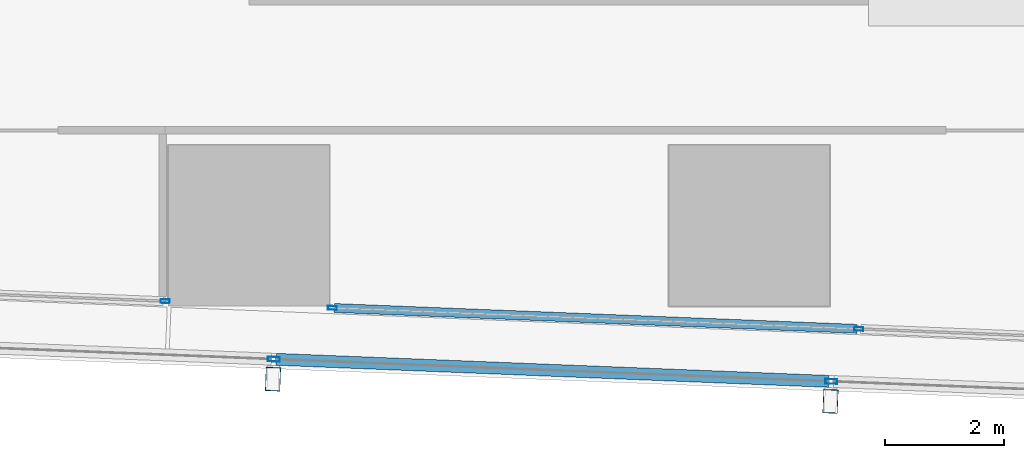
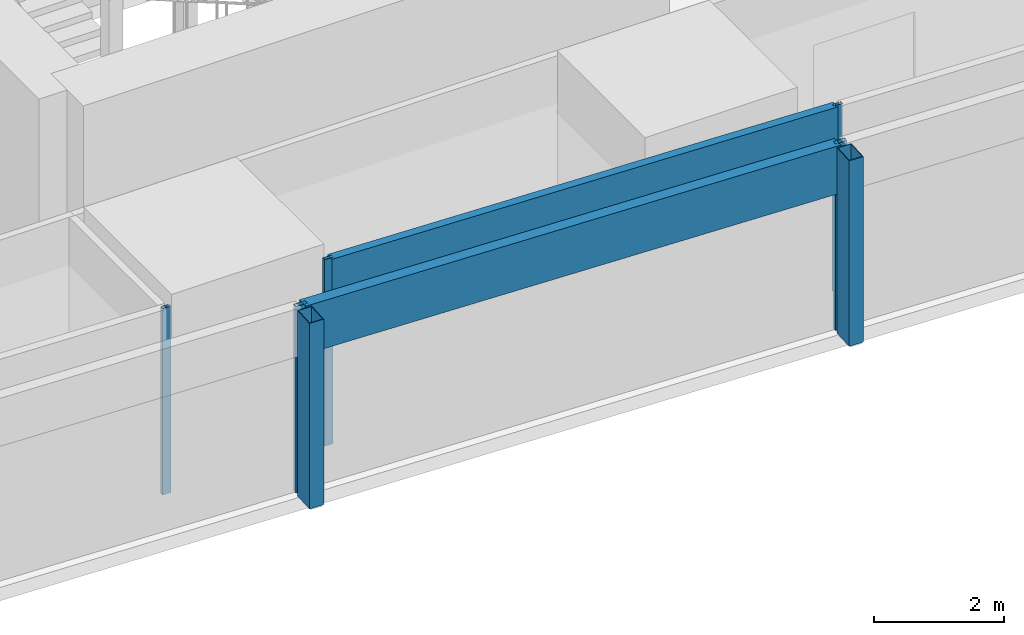
# One storey, part 5 of 36: 9 members, 3 elements without a shape of their own.
"""IFC4 building model written with IfcOpenShell, lengths in metres."""

from ifc_helpers import new_model, si_unit, direction, frame, origin, origin_2d, place, context, subcontext, project, spatial, hollow_rectangle, extrude, material, material_profile, profile_set, type_object, element, aggregate, save


model = new_model("IFC4")

# Units and contexts
model_context = context("Model", 3, precision=1e-05, world=origin(), true_north=direction((0.0, 1.0)))
body_context = subcontext(model_context, "Body", "Model", "MODEL_VIEW")
ifc_project = project(units=[si_unit("LENGTHUNIT", "METRE"), si_unit("AREAUNIT", "SQUARE_METRE"), si_unit("VOLUMEUNIT", "CUBIC_METRE"), si_unit("PLANEANGLEUNIT", "RADIAN"), si_unit("MASSUNIT", "GRAM", prefix="KILO")], contexts=[model_context])

# Site, building, storey
site_placement = place(None, origin())
site = spatial("IfcSite", under=ifc_project, at=site_placement, CompositionType="ELEMENT")
building_placement = place(site_placement, origin())
building = spatial("IfcBuilding", under=site, at=building_placement, Name="Rekha Terrace Tower", CompositionType="ELEMENT")
storey_placement = place(building_placement, frame((0.0, 0.0, 172.699951171875)))
storey = spatial("IfcBuildingStorey", under=building, at=storey_placement, Name="L43", CompositionType="ELEMENT", Elevation=172.699951171875)

# Curtain wall, members
ifc_material_1 = material(Name="Aluminium framing", Category="aluminium")
curtain_wall_type_1 = type_object("IfcCurtainWallType", Name="CW2 double skin outer glazing", PredefinedType="USERDEFINED", material=ifc_material_1)
curtain_wall_1_placement = place(storey_placement, origin())
curtain_wall_1 = element("IfcCurtainWall", 1, at=curtain_wall_1_placement, inside=storey, type_object=curtain_wall_type_1, Name="CW2 double skin outer glazing", ObjectType="DOUBLE SKIN OUTER GLAZING", PredefinedType="USERDEFINED")
ifc_material_2 = material(Name="Steel S355 with fluorocarbon finish", Category="steel")
ifc_material_profile_1 = material_profile(ifc_material_2, hollow_rectangle(XDim=0.25, YDim=0.39990234375, WallThickness=0.012451171875, at=origin_2d()), Name="RHS400x250x12.5")
ifc_profile_set_1 = profile_set([ifc_material_profile_1], Name="Steel S355 with fluorocarbon finish")
member_type_1 = type_object("IfcMemberType", Name="BL1 facade blade RHS 400 x 250", PredefinedType="USERDEFINED", material=ifc_profile_set_1)
member_1_placement = place(storey_placement, frame((25.60498046875, 14.222412109375, 0.02001953125), z_axis=(0.0, 0.0, 1.0), x_axis=(0.999204797763, -0.039871946621, 0.0)))
member_1 = element("IfcMember", 2, at=member_1_placement, type_object=member_type_1, Name="Facade blade", ObjectType="FACADE BLADE", PredefinedType="USERDEFINED", context=body_context, shape_type="SweptSolid", body=[
    extrude(hollow_rectangle(XDim=0.25, YDim=0.39990234375, WallThickness=0.012451171875, at=origin_2d()), origin(), (0.0, 0.0, 1.0), 3.47998046875),
])
member_2_placement = place(storey_placement, frame((34.9638671875, 13.84912109375, 0.02001953125), z_axis=(0.0, 0.0, 1.0), x_axis=(0.999204797763, -0.039871946621, 0.0)))
member_2 = element("IfcMember", 3, at=member_2_placement, type_object=member_type_1, Name="Facade blade", ObjectType="FACADE BLADE", PredefinedType="USERDEFINED", context=body_context, shape_type="SweptSolid", body=[
    extrude(hollow_rectangle(XDim=0.25, YDim=0.39990234375, WallThickness=0.012451171875, at=origin_2d()), origin(), (0.0, 0.0, 1.0), 3.47998046875),
])

# Curtain wall, member
curtain_wall_type_2 = type_object("IfcCurtainWallType", Name="CW1 double skin inner glazing", PredefinedType="USERDEFINED", material=ifc_material_1)
curtain_wall_2_placement = place(storey_placement, origin())
curtain_wall_2 = element("IfcCurtainWall", 4, at=curtain_wall_2_placement, inside=storey, type_object=curtain_wall_type_2, Name="CW1 double skin inner glazing", ObjectType="DOUBLE SKIN INNER GLAZING", PredefinedType="USERDEFINED")
ifc_material_3 = material(Name="Aluminium mullion section", Category="aluminium")
ifc_material_profile_2 = material_profile(ifc_material_3, hollow_rectangle(XDim=0.06494140625, YDim=0.14990234375, WallThickness=0.00390625, at=origin_2d()), Name="AL RHS 65x150")
ifc_profile_set_2 = profile_set([ifc_material_profile_2], Name="Aluminium mullion section")
member_type_2 = type_object("IfcMemberType", Name="CW1 mullion RHS 65 x 150", PredefinedType="MULLION", material=ifc_profile_set_2)
member_3_placement = place(storey_placement, frame((23.793701171875, 15.53076171875, 0.0), z_axis=(0.0, 0.0, 1.0), x_axis=(0.039872497078, 0.999204775798, 0.0)))
member_3 = element("IfcMember", 5, at=member_3_placement, type_object=member_type_2, Name="CW1 mullion 2", PredefinedType="MULLION", context=body_context, shape_type="SweptSolid", body=[
    extrude(hollow_rectangle(XDim=0.06494140625, YDim=0.14990234375, WallThickness=0.00390625, at=origin_2d()), origin(), (0.0, 0.0, 1.0), 3.5),
])
aggregate(curtain_wall_2, [member_3])

# Curtain wall, members
curtain_wall_3_placement = place(storey_placement, origin())
curtain_wall_3 = element("IfcCurtainWall", 6, at=curtain_wall_3_placement, inside=storey, type_object=curtain_wall_type_2, Name="CW1 double skin inner glazing", ObjectType="DOUBLE SKIN INNER GLAZING", PredefinedType="USERDEFINED")
member_4_placement = place(storey_placement, frame((26.601318359375, 15.418701171875, 0.0), z_axis=(0.0, 0.0, 1.0), x_axis=(0.039872497078, 0.999204775798, 0.0)))
member_4 = element("IfcMember", 7, at=member_4_placement, type_object=member_type_2, Name="CW1 mullion 1", PredefinedType="MULLION", context=body_context, shape_type="SweptSolid", body=[
    extrude(hollow_rectangle(XDim=0.06494140625, YDim=0.14990234375, WallThickness=0.00390625, at=origin_2d()), origin(), (0.0, 0.0, 1.0), 3.5),
])
member_5_placement = place(storey_placement, frame((35.4404296875, 15.06591796875, 0.0), z_axis=(0.0, 0.0, 1.0), x_axis=(0.039872497078, 0.999204775798, 0.0)))
member_5 = element("IfcMember", 8, at=member_5_placement, type_object=member_type_2, Name="CW1 mullion 2", PredefinedType="MULLION", context=body_context, shape_type="SweptSolid", body=[
    extrude(hollow_rectangle(XDim=0.06494140625, YDim=0.14990234375, WallThickness=0.00390625, at=origin_2d()), origin(), (0.0, 0.0, 1.0), 3.5),
])
ifc_material_4 = material(Name="Insulated aluminium spandrel box", Category="aluminium")
ifc_material_profile_3 = material_profile(ifc_material_4, hollow_rectangle(XDim=0.14990234375, YDim=0.89990234375, WallThickness=0.0029296875, at=origin_2d()), Name="AL SPANDREL BOX 150x900")
ifc_profile_set_3 = profile_set([ifc_material_profile_3], Name="Insulated aluminium spandrel box")
member_type_3 = type_object("IfcMemberType", Name="CW1 spandrel transom 150 x 900", PredefinedType="USERDEFINED", material=ifc_profile_set_3)
member_6_placement = place(storey_placement, frame((26.6337890625, 15.41748046875, 3.050048828125), z_axis=(0.99920490663, -0.03986921829, 0.0), x_axis=(0.03986921829, 0.99920490663, 0.0)))
member_6 = element("IfcMember", 9, at=member_6_placement, type_object=member_type_3, Name="CW1 spandrel transom 1", ObjectType="TRANSOM", PredefinedType="USERDEFINED", context=body_context, shape_type="SweptSolid", body=[
    extrude(hollow_rectangle(XDim=0.14990234375, YDim=0.89990234375, WallThickness=0.0029296875, at=origin_2d()), origin(), (0.0, 0.0, 1.0), 8.78125),
])
aggregate(curtain_wall_3, [member_4, member_5, member_6])

# Member
ifc_material_profile_4 = material_profile(ifc_material_3, hollow_rectangle(XDim=0.080078125, YDim=0.199951171875, WallThickness=0.00390625, at=origin_2d()), Name="AL RHS 80x200")
ifc_profile_set_4 = profile_set([ifc_material_profile_4], Name="Aluminium mullion section")
member_type_4 = type_object("IfcMemberType", Name="CW2 mullion RHS 80 x 200", PredefinedType="MULLION", material=ifc_profile_set_4)
member_7_placement = place(storey_placement, frame((25.618408203125, 14.55712890625, 0.0), z_axis=(0.0, 0.0, 1.0), x_axis=(0.039872497044, 0.999204775799, 0.0)))
member_7 = element("IfcMember", 10, at=member_7_placement, type_object=member_type_4, Name="CW2 mullion 3", PredefinedType="MULLION", context=body_context, shape_type="SweptSolid", body=[
    extrude(hollow_rectangle(XDim=0.080078125, YDim=0.199951171875, WallThickness=0.00390625, at=origin_2d()), origin(), (0.0, 0.0, 1.0), 3.5),
])

member_8_placement = place(storey_placement, frame((34.97705078125, 14.183837890625, 0.0), z_axis=(0.0, 0.0, 1.0), x_axis=(0.039872497044, 0.999204775799, 0.0)))
member_8 = element("IfcMember", 11, at=member_8_placement, type_object=member_type_4, Name="CW2 mullion 4", PredefinedType="MULLION", context=body_context, shape_type="SweptSolid", body=[
    extrude(hollow_rectangle(XDim=0.080078125, YDim=0.199951171875, WallThickness=0.00390625, at=origin_2d()), origin(), (0.0, 0.0, 1.0), 3.5),
])

ifc_material_profile_5 = material_profile(ifc_material_4, hollow_rectangle(XDim=0.199951171875, YDim=0.89990234375, WallThickness=0.0029296875, at=origin_2d()), Name="AL SPANDREL BOX 200x900")
ifc_profile_set_5 = profile_set([ifc_material_profile_5], Name="Insulated aluminium spandrel box")
member_type_5 = type_object("IfcMemberType", Name="CW2 spandrel transom 200 x 900", PredefinedType="USERDEFINED", material=ifc_profile_set_5)
member_9_placement = place(storey_placement, frame((25.658447265625, 14.5556640625, 3.050048828125), z_axis=(0.999204356934, -0.039882992408, 0.0), x_axis=(0.039882992408, 0.999204356934, 0.0)))
member_9 = element("IfcMember", 12, at=member_9_placement, type_object=member_type_5, Name="CW2 spandrel transom 3", ObjectType="TRANSOM", PredefinedType="USERDEFINED", context=body_context, shape_type="SweptSolid", body=[
    extrude(hollow_rectangle(XDim=0.199951171875, YDim=0.89990234375, WallThickness=0.0029296875, at=origin_2d()), origin(), (0.0, 0.0, 1.0), 9.2861328125),
])

aggregate(curtain_wall_1, [member_7, member_8, member_9, member_1, member_2])

save(model, "model.ifc")
